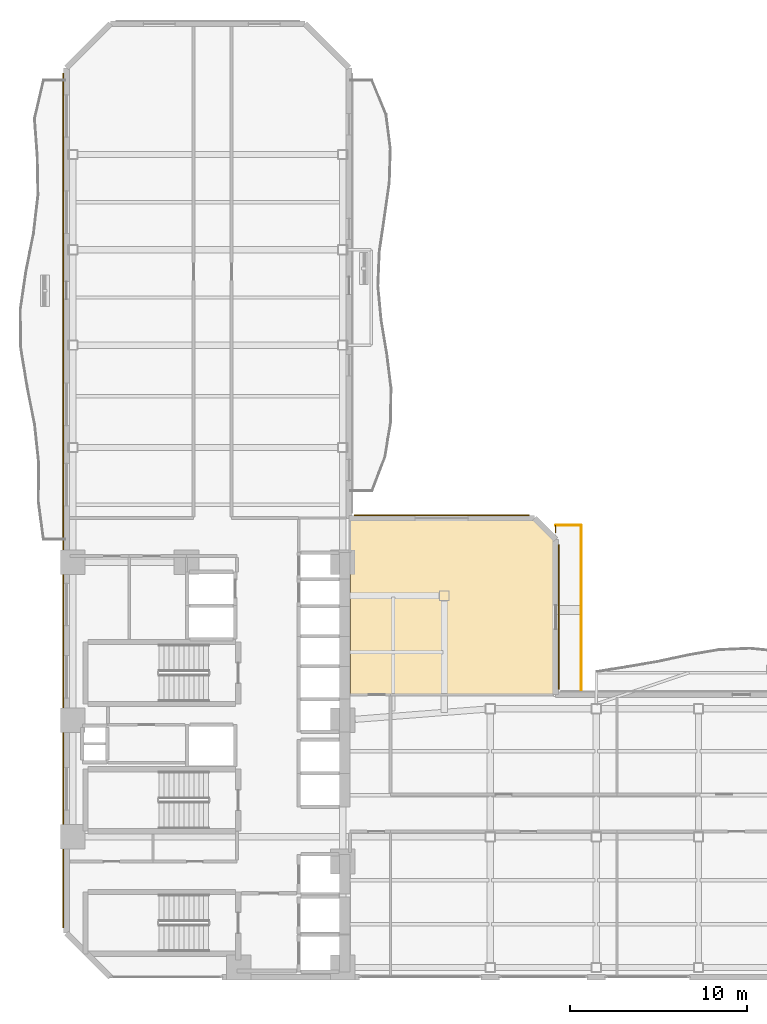
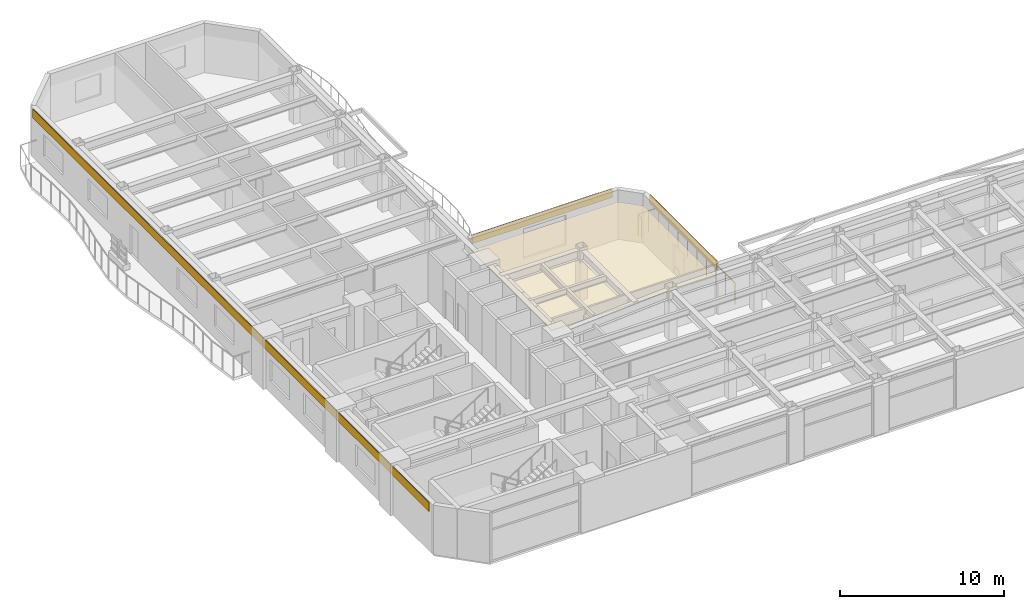
# One storey, part 15 of 17: 4 coverings, 3 railings.
"""IFC4 building model written with IfcOpenShell, lengths in metres."""

from ifc_helpers import new_model, si_unit, direction, frame, origin, origin_2d, place, context, subcontext, project, spatial, polyline, rectangle, outline, extrude, material, layer, layer_set, type_object, element, save


model = new_model("IFC4")

# Units and contexts
model_context = context("Model", 3, precision=1e-05, world=origin(), true_north=direction((0.0, 1.0)))
body_context = subcontext(model_context, "Body", "Model", "MODEL_VIEW")
ifc_project = project(units=[si_unit("LENGTHUNIT", "METRE"), si_unit("AREAUNIT", "SQUARE_METRE"), si_unit("VOLUMEUNIT", "CUBIC_METRE"), si_unit("PLANEANGLEUNIT", "RADIAN"), si_unit("MASSUNIT", "GRAM", prefix="KILO")], contexts=[model_context])

# Site, building, storey
site_placement = place(None, origin())
site = spatial("IfcSite", under=ifc_project, at=site_placement, CompositionType="ELEMENT")
building_placement = place(site_placement, origin())
building = spatial("IfcBuilding", under=site, at=building_placement, Name="Mawjaban Terraces University", CompositionType="ELEMENT")
storey_placement = place(building_placement, frame((0.0, 0.0, 70.0)))
storey = spatial("IfcBuildingStorey", under=building, at=storey_placement, Name="L16", CompositionType="ELEMENT", Elevation=70.0)

# Covering
ifc_material_1 = material(Name="Acoustic mineral fibre ceiling tile", Category="masonry")
ifc_layer_1 = layer(ifc_material_1, 0.02001953125)
ifc_layer_set_1 = layer_set([ifc_layer_1], Name="Acoustic mineral fibre ceiling tile")
covering_type_1 = type_object("IfcCoveringType", Name="AcousticMineralCeiling_20", PredefinedType="CEILING", material=ifc_layer_set_1)
covering_1_placement = place(storey_placement, frame((0.0, 0.0, 2.75)))
element("IfcCovering", 1, at=covering_1_placement, inside=storey, type_object=covering_type_1, Name="L16 Terrace Collaborative Study Room Acoustic Ceiling", PredefinedType="CEILING", context=body_context, shape_type="SweptSolid", body=[
    extrude(outline(polyline([(49.5849609375, 16.030029296875), (49.5849609375, 24.742919921875), (48.452880859375, 25.875), (38.080078125, 25.875), (38.080078125, 16.030029296875), (49.5849609375, 16.030029296875)])), origin(), (0.0, 0.0, 1.0), 0.02001953125),
])

# Railings
ifc_material_2 = material(Name="Galvanised powder-coated steel S355", Category="steel")
railing_type = type_object("IfcRailingType", Name="BalconyBalustrade_1600", PredefinedType="BALUSTRADE", material=ifc_material_2)
railing_1_placement = place(storey_placement, frame((51.14990234375, 16.280029296875, 0.0)))
element("IfcRailing", 2, at=railing_1_placement, inside=storey, type_object=railing_type, Name="L16 Terrace Guardrail TER-L16-CLIMB.1", PredefinedType="BALUSTRADE", context=body_context, shape_type="SweptSolid", body=[
    extrude(rectangle(XDim=0.048095703125, YDim=0.048095703125, at=origin_2d()), frame((0.0, 0.0, 1.576171875), z_axis=(0.0, 1.0, 0.0), x_axis=(-1.0, 0.0, 0.0)), (0.0, 0.0, 1.0), 9.31005859375),
    extrude(rectangle(XDim=0.0419921875, YDim=0.0419921875, at=origin_2d()), origin(), (0.0, 0.0, 1.0), 1.552001953125),
    extrude(rectangle(XDim=0.0419921875, YDim=0.0419921875, at=origin_2d()), frame((0.0, 1.163818359375, 0.0)), (0.0, 0.0, 1.0), 1.552001953125),
    extrude(rectangle(XDim=0.0419921875, YDim=0.0419921875, at=origin_2d()), frame((0.0, 2.32763671875, 0.0)), (0.0, 0.0, 1.0), 1.552001953125),
    extrude(rectangle(XDim=0.0419921875, YDim=0.0419921875, at=origin_2d()), frame((0.0, 3.4912109375, 0.0)), (0.0, 0.0, 1.0), 1.552001953125),
    extrude(rectangle(XDim=0.0419921875, YDim=0.0419921875, at=origin_2d()), frame((0.0, 4.655029296875, 0.0)), (0.0, 0.0, 1.0), 1.552001953125),
    extrude(rectangle(XDim=0.0419921875, YDim=0.0419921875, at=origin_2d()), frame((0.0, 5.81884765625, 0.0)), (0.0, 0.0, 1.0), 1.552001953125),
    extrude(rectangle(XDim=0.0419921875, YDim=0.0419921875, at=origin_2d()), frame((0.0, 6.982421875, 0.0)), (0.0, 0.0, 1.0), 1.552001953125),
    extrude(rectangle(XDim=0.0419921875, YDim=0.0419921875, at=origin_2d()), frame((0.0, 8.146240234375, 0.0)), (0.0, 0.0, 1.0), 1.552001953125),
    extrude(rectangle(XDim=0.0419921875, YDim=0.0419921875, at=origin_2d()), frame((0.0, 9.31005859375, 0.0)), (0.0, 0.0, 1.0), 1.552001953125),
])
railing_2_placement = place(storey_placement, frame((51.14990234375, 25.590087890625, 0.0)))
element("IfcRailing", 3, at=railing_2_placement, inside=storey, type_object=railing_type, Name="L16 Terrace Guardrail TER-L16-CLIMB.2", PredefinedType="BALUSTRADE", context=body_context, shape_type="SweptSolid", body=[
    extrude(rectangle(XDim=0.048095703125, YDim=0.048095703125, at=origin_2d()), frame((0.0, 0.0, 1.576171875), z_axis=(-1.0, 0.0, 0.0), x_axis=(0.0, -1.0, 0.0)), (0.0, 0.0, 1.0), 1.449951171875),
    extrude(rectangle(XDim=0.0419921875, YDim=0.0419921875, at=origin_2d()), origin(), (0.0, 0.0, 1.0), 1.552001953125),
    extrude(rectangle(XDim=0.0419921875, YDim=0.0419921875, at=origin_2d()), frame((-0.72509765625, 0.0, 0.0)), (0.0, 0.0, 1.0), 1.552001953125),
    extrude(rectangle(XDim=0.0419921875, YDim=0.0419921875, at=origin_2d()), frame((-1.449951171875, 0.0, 0.0)), (0.0, 0.0, 1.0), 1.552001953125),
])
railing_3_placement = place(storey_placement, frame((49.699951171875, 25.590087890625, 0.0)))
element("IfcRailing", 4, at=railing_3_placement, inside=storey, type_object=railing_type, Name="L16 Terrace Guardrail TER-L16-CLIMB.3", PredefinedType="BALUSTRADE", context=body_context, shape_type="SweptSolid", body=[
    extrude(rectangle(XDim=0.048095703125, YDim=0.048095703125, at=origin_2d()), frame((0.0, 0.0, 1.576171875), z_axis=(0.0, -1.0, 0.0), x_axis=(1.0, 0.0, 0.0)), (0.0, 0.0, 1.0), 0.404052734375),
    extrude(rectangle(XDim=0.0419921875, YDim=0.0419921875, at=origin_2d()), origin(), (0.0, 0.0, 1.0), 1.552001953125),
    extrude(rectangle(XDim=0.0419921875, YDim=0.0419921875, at=origin_2d()), frame((0.0, -0.404052734375, 0.0)), (0.0, 0.0, 1.0), 1.552001953125),
])

# Coverings
ifc_material_3 = material(Name="Glazed architectural terracotta rainscreen", Category="masonry")
ifc_layer_2 = layer(ifc_material_3, 0.06005859375)
ifc_layer_set_2 = layer_set([ifc_layer_2], Name="Glazed architectural terracotta rainscreen")
covering_type_2 = type_object("IfcCoveringType", Name="TerracottaSpandrelCladding_60", PredefinedType="CLADDING", material=ifc_layer_set_2)
covering_2_placement = place(storey_placement, frame((49.885009765625, 20.39501953125, 3.01513671875), z_axis=(0.0, 0.0, 1.0), x_axis=(0.0, 1.0, 0.0)))
element("IfcCovering", 5, at=covering_2_placement, inside=storey, type_object=covering_type_2, Name="L16 Terracotta Spandrel Cladding 6", PredefinedType="CLADDING", context=body_context, shape_type="SweptSolid", body=[
    extrude(rectangle(XDim=8.18994140625, YDim=0.06005859375, at=origin_2d()), origin(), (0.0, 0.0, 1.0), 0.64990234375),
])
covering_3_placement = place(storey_placement, frame((43.25, 26.175048828125, 3.01513671875), z_axis=(0.0, 0.0, 1.0), x_axis=(-1.0, 0.0, 0.0)))
element("IfcCovering", 6, at=covering_3_placement, inside=storey, type_object=covering_type_2, Name="L16 Terracotta Spandrel Cladding 8", PredefinedType="CLADDING", context=body_context, shape_type="SweptSolid", body=[
    extrude(rectangle(XDim=9.89990234375, YDim=0.06005859375, at=origin_2d()), origin(), (0.0, 0.0, 1.0), 0.64990234375),
])
covering_4_placement = place(storey_placement, frame((21.81494140625, 27.0, 3.01513671875), z_axis=(0.0, 0.0, 1.0), x_axis=(0.0, -1.0, 0.0)))
element("IfcCovering", 7, at=covering_4_placement, inside=storey, type_object=covering_type_2, Name="L16 Terracotta Spandrel Cladding 13", PredefinedType="CLADDING", context=body_context, shape_type="SweptSolid", body=[
    extrude(rectangle(XDim=48.39990234375, YDim=0.06005859375, at=origin_2d()), origin(), (0.0, 0.0, 1.0), 0.64990234375),
])

save(model, "model.ifc")
